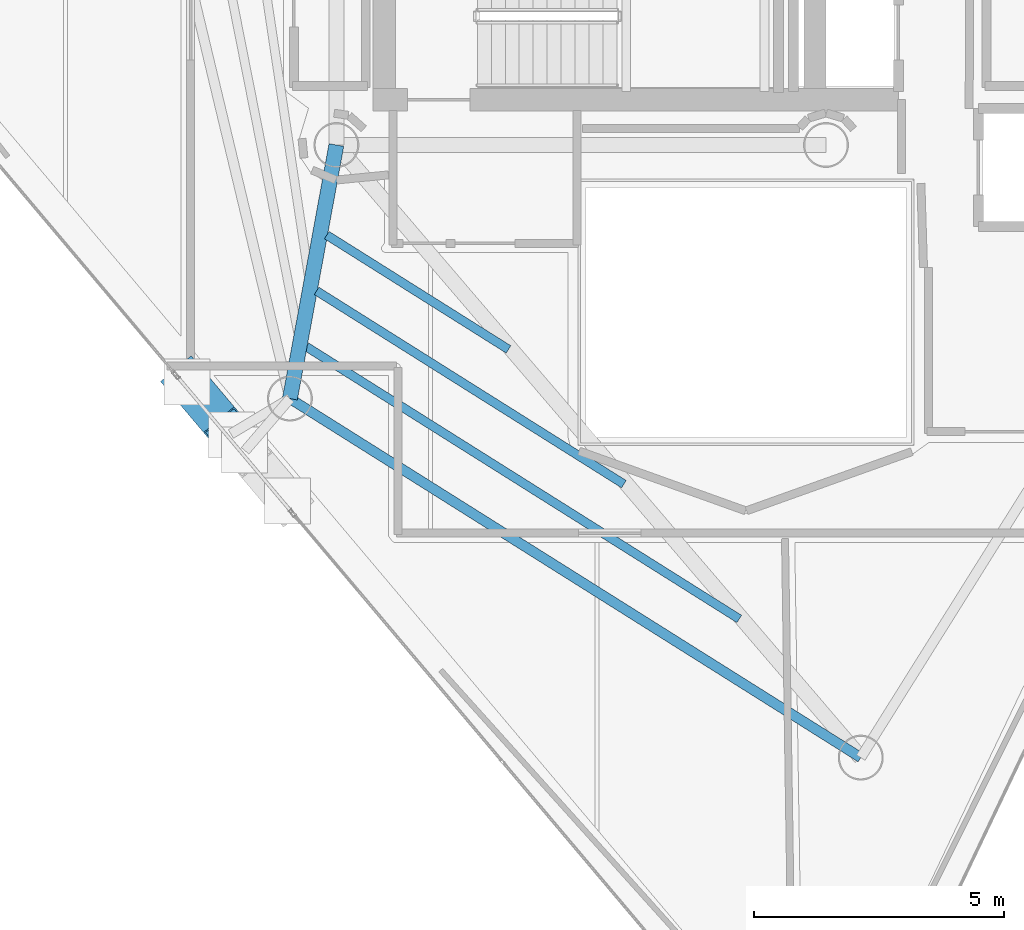
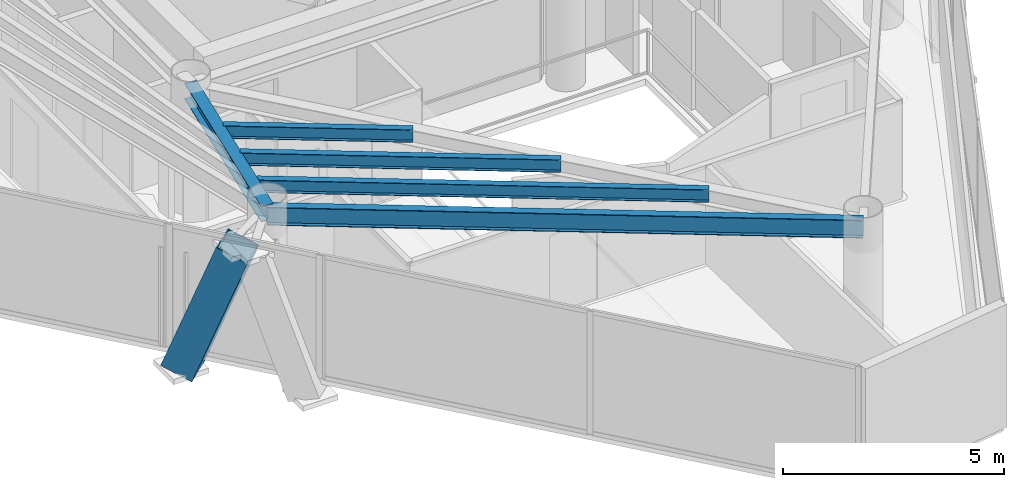
# One storey, part 3 of 20: 5 beams, 1 member.
"""IFC4 building model written with IfcOpenShell, lengths in metres."""

from ifc_helpers import new_model, si_unit, direction, frame, origin, origin_2d, place, context, subcontext, project, spatial, hollow_rectangle, i_section, extrude, material, material_profile, profile_set, type_object, element, save


model = new_model("IFC4")

# Units and contexts
model_context = context("Model", 3, precision=1e-05, world=origin(), true_north=direction((0.0, 1.0)))
body_context = subcontext(model_context, "Body", "Model", "MODEL_VIEW")
ifc_project = project(units=[si_unit("LENGTHUNIT", "METRE"), si_unit("AREAUNIT", "SQUARE_METRE"), si_unit("VOLUMEUNIT", "CUBIC_METRE"), si_unit("PLANEANGLEUNIT", "RADIAN"), si_unit("MASSUNIT", "GRAM", prefix="KILO")], contexts=[model_context])

# Site, building, storey
site_placement = place(None, origin())
site = spatial("IfcSite", under=ifc_project, at=site_placement, CompositionType="ELEMENT")
building_placement = place(site_placement, origin())
building = spatial("IfcBuilding", under=site, at=building_placement, Name="Qianvela Tower", CompositionType="ELEMENT")
storey_placement = place(building_placement, frame((0.0, 0.0, 317.60009765625)))
storey = spatial("IfcBuildingStorey", under=building, at=storey_placement, Name="L82", CompositionType="ELEMENT", Elevation=317.60009765625)

# Beams
ifc_material_1 = material(Name="Steel Q355B", Category="steel")
ifc_material_profile_1 = material_profile(ifc_material_1, i_section(OverallWidth=0.300048828125, OverallDepth=0.43994140625, WebThickness=0.010986328125, FlangeThickness=0.01806640625, at=origin_2d()), Name="HM440x300x11x18")
ifc_profile_set_1 = profile_set([ifc_material_profile_1], Name="Steel Q355B")
beam_type_1 = type_object("IfcBeamType", Name="BM-HM440-COLL", PredefinedType="BEAM", material=ifc_profile_set_1)
beam_1_placement = place(storey_placement, frame((28.60009765625, 23.85009765625, 3.177978515625), z_axis=(-0.180242432023, -0.983622216961, 0.0), x_axis=(0.983622216961, -0.180242432023, 0.0)))
element("IfcBeam", 1, at=beam_1_placement, inside=storey, type_object=beam_type_1, Name="L82 Radial Primary Floor Girder 4", PredefinedType="BEAM", context=body_context, shape_type="SweptSolid", body=[
    extrude(i_section(OverallWidth=0.300048828125, OverallDepth=0.43994140625, WebThickness=0.010986328125, FlangeThickness=0.01806640625, at=origin_2d()), origin(), (0.0, 0.0, 1.0), 5.16064453125),
])
ifc_material_2 = material(Name="Steel Q355B", Category="steel")
ifc_material_profile_2 = material_profile(ifc_material_2, i_section(OverallWidth=0.175048828125, OverallDepth=0.35009765625, WebThickness=0.007080078125, FlangeThickness=0.010986328125, at=origin_2d()), Name="HN350x175x7x11")
ifc_profile_set_2 = profile_set([ifc_material_profile_2], Name="Steel Q355B")
beam_type_2 = type_object("IfcBeamType", Name="BM-HN350-JOIST", PredefinedType="JOIST", material=ifc_profile_set_2)
beam_2_placement = place(storey_placement, frame((28.407470703125, 22.04638671875, 3.222900390625), z_axis=(0.846501223135, -0.532386775973, 0.0), x_axis=(0.532386775973, 0.846501223135, 0.0)))
element("IfcBeam", 2, at=beam_2_placement, inside=storey, type_object=beam_type_2, Name="L82 Secondary Composite Floor Joist 4.1", PredefinedType="JOIST", context=body_context, shape_type="SweptSolid", body=[
    extrude(i_section(OverallWidth=0.175048828125, OverallDepth=0.35009765625, WebThickness=0.007080078125, FlangeThickness=0.010986328125, at=origin_2d()), origin(), (0.0, 0.0, 1.0), 4.29736328125),
])
beam_3_placement = place(storey_placement, frame((28.202880859375, 20.9296875, 3.222900390625), z_axis=(0.846507641225, -0.532376570998, 0.0), x_axis=(0.532376570998, 0.846507641225, 0.0)))
element("IfcBeam", 3, at=beam_3_placement, inside=storey, type_object=beam_type_2, Name="L82 Secondary Composite Floor Joist 4.2", PredefinedType="JOIST", context=body_context, shape_type="SweptSolid", body=[
    extrude(i_section(OverallWidth=0.175048828125, OverallDepth=0.35009765625, WebThickness=0.007080078125, FlangeThickness=0.010986328125, at=origin_2d()), origin(), (0.0, 0.0, 1.0), 7.266845703125),
])
beam_4_placement = place(storey_placement, frame((27.998291015625, 19.81298828125, 3.222900390625), z_axis=(0.846499587038, -0.532389377377, 0.0), x_axis=(0.532389377377, 0.846499587038, 0.0)))
element("IfcBeam", 4, at=beam_4_placement, inside=storey, type_object=beam_type_2, Name="L82 Secondary Composite Floor Joist 4.3", PredefinedType="JOIST", context=body_context, shape_type="SweptSolid", body=[
    extrude(i_section(OverallWidth=0.175048828125, OverallDepth=0.35009765625, WebThickness=0.007080078125, FlangeThickness=0.010986328125, at=origin_2d()), origin(), (0.0, 0.0, 1.0), 10.236328125),
])
ifc_material_3 = material(Name="Steel Q355B", Category="steel")
ifc_material_profile_3 = material_profile(ifc_material_3, i_section(OverallWidth=0.199951171875, OverallDepth=0.5, WebThickness=0.010009765625, FlangeThickness=0.01611328125, at=origin_2d()), Name="HN500x200x10x16")
ifc_profile_set_3 = profile_set([ifc_material_profile_3], Name="Steel Q355B")
beam_type_3 = type_object("IfcBeamType", Name="BM-HN500-GIRD", PredefinedType="BEAM", material=ifc_profile_set_3)
beam_5_placement = place(storey_placement, frame((27.669921875, 18.77392578125, 3.14794921875), z_axis=(0.846504270846, -0.532381930046, 0.0), x_axis=(0.532381930046, 0.846504270846, 0.0)))
element("IfcBeam", 5, at=beam_5_placement, inside=storey, type_object=beam_type_3, Name="L82 Perimeter Ring Spandrel Girder 4", PredefinedType="BEAM", context=body_context, shape_type="SweptSolid", body=[
    extrude(i_section(OverallWidth=0.199951171875, OverallDepth=0.5, WebThickness=0.010009765625, FlangeThickness=0.01611328125, at=origin_2d()), origin(), (0.0, 0.0, 1.0), 13.497802734375),
])

# Member
ifc_material_4 = material(Name="Steel Q420GJC", Category="steel")
ifc_material_profile_4 = material_profile(ifc_material_4, hollow_rectangle(XDim=0.800048828125, YDim=0.800048828125, WallThickness=0.028076171875, at=origin_2d()), Name="MBOX-800x800x28")
ifc_profile_set_4 = profile_set([ifc_material_profile_4], Name="Steel Q420GJC")
member_type = type_object("IfcMemberType", Name="MBR-MBRACE-800", PredefinedType="BRACE", material=ifc_profile_set_4)
member_placement = place(storey_placement, frame((25.628173828125, 19.0869140625, -0.482177734375), z_axis=(0.225470647482, -0.267191342525, 0.936894750547), x_axis=(0.764252076069, 0.644917641427, 0.0)))
element("IfcMember", 6, at=member_placement, inside=storey, type_object=member_type, Name="L82 Tier 13 Exterior Mega-Brace F2A", PredefinedType="BRACE", context=body_context, shape_type="SweptSolid", body=[
    extrude(hollow_rectangle(XDim=0.800048828125, YDim=0.800048828125, WallThickness=0.028076171875, at=origin_2d()), origin(), (0.0, 0.0, 1.0), 3.8212890625),
])

save(model, "model.ifc")
